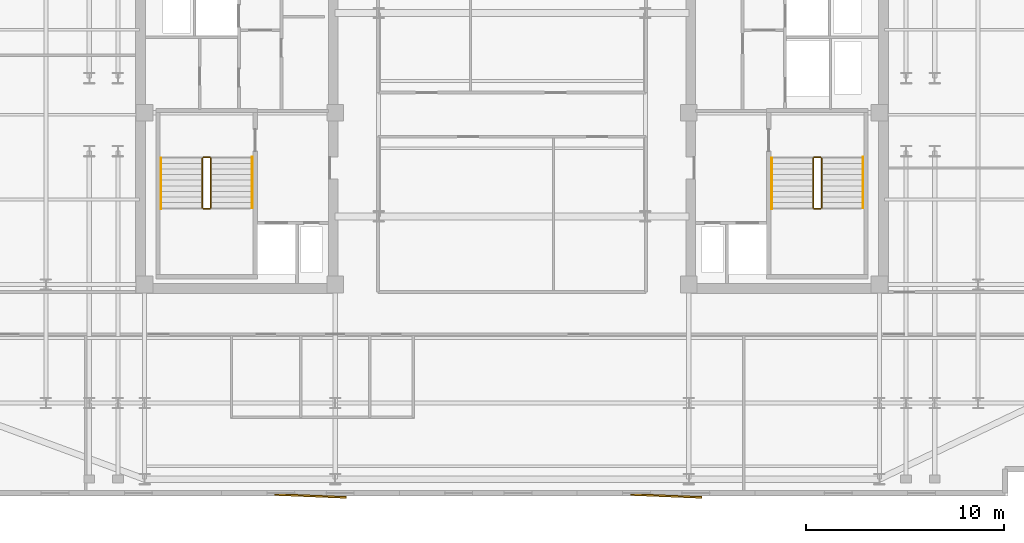
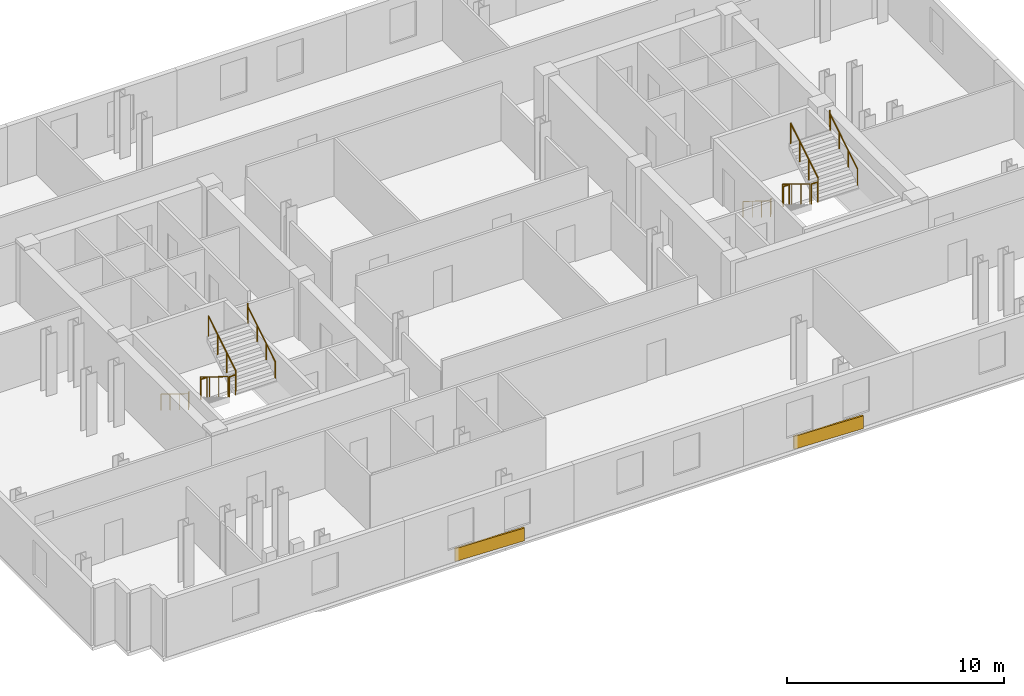
# One storey, part 8 of 9: 12 railings, 2 coverings.
"""IFC4 building model written with IfcOpenShell, lengths in metres."""

import ifcopenshell
import ifcopenshell.guid

model = None  # the IFC model being written
_history = None  # IfcOwnerHistory: only IFC2X3 demands one
_inside = {}  # id of a spatial element -> (the spatial element, [elements in it])
_under = {}  # id of a project, library or spatial element -> (it, [spatial elements below it])
_declared = {}  # id of a project -> (the project, [libraries it declares])
_typed = {}  # id of a type object -> (the type object, [elements of that type])
_made_of = {}  # id of a material, layer set ... -> (it, [elements and type objects made of it])


def new_model(schema):
    """Start an empty IFC model of exactly this schema.

    Asked for "IFC4X3", IfcOpenShell would pick the latest addendum, in which some entities
    have other attributes; the version numbers below select the first issue.
    IFC2X3 requires an IfcOwnerHistory on every rooted entity: one is made here for all.
    """
    global model, _history
    if schema == "IFC4X3":
        model = ifcopenshell.file(schema_version=(4, 3, 0, 0))
    else:
        model = ifcopenshell.file(schema=schema)
    _inside.clear()
    _under.clear()
    _declared.clear()
    _typed.clear()
    _made_of.clear()
    _history = None
    if model.schema == "IFC2X3":
        org = make("IfcOrganization", Name="unknown")
        user = make(
            "IfcPersonAndOrganization",
            ThePerson=make("IfcPerson", FamilyName="unknown"),
            TheOrganization=org,
        )
        app = make(
            "IfcApplication",
            ApplicationDeveloper=org,
            Version="unknown",
            ApplicationFullName="unknown",
            ApplicationIdentifier="unknown",
        )
        _history = make(
            "IfcOwnerHistory",
            OwningUser=user,
            OwningApplication=app,
            ChangeAction="ADDED",
            CreationDate=0,
        )
    return model


def make(cls, **values):
    """One entity of the class cls with the attributes given. An attribute that is None is left unset."""
    return model.create_entity(
        cls, **{name: value for name, value in values.items() if value is not None}
    )


def rooted(cls, **values):
    """An entity with a GlobalId (a new one), such as an element, a storey or a relation."""
    return make(cls, GlobalId=ifcopenshell.guid.new(), OwnerHistory=_history, **values)


def si_unit(unit_type, name, prefix=None):
    """IfcSIUnit, for example si_unit("LENGTHUNIT", "METRE", prefix="MILLI")."""
    return make("IfcSIUnit", UnitType=unit_type, Prefix=prefix, Name=name)


def assignment(units):
    """IfcUnitAssignment: the units of a project."""
    return None if units is None else make("IfcUnitAssignment", Units=units)


def point(xyz):
    """IfcCartesianPoint."""
    return None if xyz is None else make("IfcCartesianPoint", Coordinates=xyz)


def direction(xyz):
    """IfcDirection."""
    return None if xyz is None else make("IfcDirection", DirectionRatios=xyz)


def frame(location, z_axis=None, x_axis=None):
    """IfcAxis2Placement3D, a coordinate frame: its origin and axes. An axis left out is left unset."""
    return make(
        "IfcAxis2Placement3D",
        Location=point(location),
        Axis=direction(z_axis),
        RefDirection=direction(x_axis),
    )


def frame_2d(location, x_axis=None):
    """IfcAxis2Placement2D, a coordinate frame in the plane: its origin and x axis."""
    return make(
        "IfcAxis2Placement2D", Location=point(location), RefDirection=direction(x_axis)
    )


def origin():
    """The frame at (0, 0, 0) with its axes left unset."""
    return frame((0.0, 0.0, 0.0))


def origin_2d():
    """The frame at (0, 0) in the plane with its x axis left unset."""
    return frame_2d((0.0, 0.0))


def place(relative_to, where):
    """IfcLocalPlacement: puts the frame where relative to a parent placement (None: the world)."""
    return make(
        "IfcLocalPlacement", PlacementRelTo=relative_to, RelativePlacement=where
    )


def context(
    kind, dimensions, precision=None, world=None, true_north=None, identifier=None
):
    """IfcGeometricRepresentationContext, for example the 3D "Model" context."""
    return make(
        "IfcGeometricRepresentationContext",
        ContextIdentifier=identifier,
        ContextType=kind,
        CoordinateSpaceDimension=dimensions,
        Precision=precision,
        WorldCoordinateSystem=world,
        TrueNorth=true_north,
    )


def subcontext(parent, identifier, kind, view, scale=None):
    """IfcGeometricRepresentationSubContext, for example "Body" below "Model"."""
    return make(
        "IfcGeometricRepresentationSubContext",
        ContextIdentifier=identifier,
        ContextType=kind,
        ParentContext=parent,
        TargetScale=scale,
        TargetView=view,
    )


def project(units=None, contexts=None):
    """IfcProject with its units and contexts."""
    return rooted(
        "IfcProject",
        Name="project",
        RepresentationContexts=contexts,
        UnitsInContext=assignment(units),
    )


def spatial(cls, under=None, at=None, **own):
    """A site, building, storey or space (cls), placed at a placement, below another one or the project."""
    s = rooted(cls, ObjectPlacement=at, **own)
    if under is not None:
        _under.setdefault(under.id(), (under, []))[1].append(s)
    return s


def profile(cls, at=None, kind="AREA", **sizes):
    """A parametric profile (cls). Its sizes go by their IFC names, for example OverallWidth=200.0."""
    return make(cls, ProfileType=kind, Position=at, **sizes)


def rectangle(**sizes):
    """IfcRectangleProfileDef."""
    return profile("IfcRectangleProfileDef", **sizes)


def circle(**sizes):
    """IfcCircleProfileDef."""
    return profile("IfcCircleProfileDef", **sizes)


def extrude(swept, where, along, depth):
    """IfcExtrudedAreaSolid: the profile swept, set in the frame where, extruded along a direction by depth."""
    return make(
        "IfcExtrudedAreaSolid",
        SweptArea=swept,
        Position=where,
        ExtrudedDirection=direction(along),
        Depth=depth,
    )


def shape(context_of_items, identifier, shape_type, items):
    """IfcShapeRepresentation: the items that make up one representation, for example the "Body"."""
    return make(
        "IfcShapeRepresentation",
        ContextOfItems=context_of_items,
        RepresentationIdentifier=identifier,
        RepresentationType=shape_type,
        Items=items,
    )


def material(Name=None, Category=None):
    """IfcMaterial."""
    return make("IfcMaterial", Name=Name, Category=Category)


def layer(
    of_material, thickness, ventilated=None, Name=None, Category=None, Priority=None
):
    """IfcMaterialLayer: one layer of a wall or slab, of a material (None: an air gap)."""
    return make(
        "IfcMaterialLayer",
        Material=of_material,
        LayerThickness=thickness,
        IsVentilated=ventilated,
        Name=Name,
        Category=Category,
        Priority=Priority,
    )


def layer_set(layers, Name=None):
    """IfcMaterialLayerSet."""
    return make("IfcMaterialLayerSet", MaterialLayers=layers, LayerSetName=Name)


def made_of(thing, what):
    """Note that an element or type object is made of a material, layer set ...; save() writes the relation."""
    if what is not None:
        _made_of.setdefault(what.id(), (what, []))[1].append(thing)
    return thing


def type_object(cls, material=None, **own):
    """A type object (cls), such as IfcWallType, which elements share."""
    return made_of(rooted(cls, **own), material)


def element(
    cls,
    number,
    at=None,
    inside=None,
    cuts=None,
    type_object=None,
    material=None,
    context=None,
    identifier="Body",
    shape_type=None,
    held_by="IfcProductDefinitionShape",
    body=None,
    shapes=None,
    **own,
):
    """One element of the class cls, such as IfcWall. Its Tag is "e" and its number.

    at: its placement. inside: the storey or other place that contains it. cuts: it is an
    opening in that element (IfcRelVoidsElement). A single representation is given by context,
    identifier, shape_type and body (its items); several are given by shapes. held_by: the class
    of the entity that holds the representations. save() writes the other relations.
    """
    e = rooted(cls, Tag="e%d" % number, ObjectPlacement=at, **own)
    if body is not None:
        shapes = [shape(context, identifier, shape_type, body)]
    if shapes is not None:
        e.Representation = make(held_by, Representations=shapes)
    if inside is not None:
        _inside.setdefault(inside.id(), (inside, []))[1].append(e)
    if cuts is not None:
        rooted(
            "IfcRelVoidsElement", RelatingBuildingElement=cuts, RelatedOpeningElement=e
        )
    if type_object is not None:
        _typed.setdefault(type_object.id(), (type_object, []))[1].append(e)
    return made_of(e, material)


def aggregate(whole, parts):
    """IfcRelAggregates: a whole, such as a stair, and the parts it consists of."""
    return rooted("IfcRelAggregates", RelatingObject=whole, RelatedObjects=parts)


def save(model, path):
    """Write the relations noted so far, then the file.

    IfcRelAggregates (storeys below a building ...), IfcRelContainedInSpatialStructure (elements
    in a storey), IfcRelDefinesByType, IfcRelAssociatesMaterial and IfcRelDeclares: one each for
    every whole, place, type object, material and project.
    """
    for whole, parts in _under.values():
        aggregate(whole, parts)
    for where, things in _inside.values():
        rooted(
            "IfcRelContainedInSpatialStructure",
            RelatedElements=things,
            RelatingStructure=where,
        )
    for kind, things in _typed.values():
        rooted("IfcRelDefinesByType", RelatedObjects=things, RelatingType=kind)
    for what, things in _made_of.values():
        rooted("IfcRelAssociatesMaterial", RelatedObjects=things, RelatingMaterial=what)
    for by, libraries in _declared.values():
        rooted("IfcRelDeclares", RelatingContext=by, RelatedDefinitions=libraries)
    model.write(path)


model = new_model("IFC4")

# Units and contexts
model_context = context("Model", 3, precision=1e-05, world=origin(), true_north=direction((0.0, 1.0)))
body_context = subcontext(model_context, "Body", "Model", "MODEL_VIEW")
ifc_project = project(units=[si_unit("LENGTHUNIT", "METRE"), si_unit("AREAUNIT", "SQUARE_METRE"), si_unit("VOLUMEUNIT", "CUBIC_METRE"), si_unit("PLANEANGLEUNIT", "RADIAN"), si_unit("MASSUNIT", "GRAM", prefix="KILO")], contexts=[model_context])

# Site, building, storey
site_placement = place(None, origin())
site = spatial("IfcSite", under=ifc_project, at=site_placement, CompositionType="ELEMENT")
building_placement = place(site_placement, origin())
building = spatial("IfcBuilding", under=site, at=building_placement, Name="Velakula Bourse", CompositionType="ELEMENT")
storey_placement = place(building_placement, frame((0.0, 0.0, 215.39990234375)))
storey = spatial("IfcBuildingStorey", under=building, at=storey_placement, Name="L58", CompositionType="ELEMENT", Elevation=215.39990234375)

# Coverings
ifc_material_1 = material(Name="Red kilned clay facing brick masonry", Category="masonry")
ifc_layer = layer(ifc_material_1, 0.090087890625, Name="Red kilned clay facing brick masonry", Category="masonry")
ifc_layer_set = layer_set([ifc_layer], Name="Red kilned clay facing brick masonry")
covering_type = type_object("IfcCoveringType", Name="COV-BRK-FOLD-90", PredefinedType="CLADDING", material=ifc_layer_set)
for number, where, z_axis, x_axis, name in (
    (1, (-10.199951171875, -19.300048828125, 0.0), (0.0, 0.0, 1.0), (0.999158993058, -0.041003738744, 0.0), "L58 Folded Brick Facade Cladding Panel S-B2"),
    (2, (7.800048828125, -19.300048828125, 0.0), (0.0, 0.0, 1.0), (0.999158993058, -0.041003738744, 0.0), "L58 Folded Brick Facade Cladding Panel S-B4"),
):
    element("IfcCovering", number, at=place(storey_placement, frame(where, z_axis=z_axis, x_axis=x_axis)), inside=storey, type_object=covering_type, Name=name, PredefinedType="CLADDING", context=body_context, shape_type="SweptSolid", body=[
        extrude(rectangle(XDim=3.60009765625, YDim=0.090087890625, at=origin_2d()), origin(), (0.0, 0.0, 1.0), 0.719970703125),
    ])

# Railings
ifc_material_2 = material(Name="Brushed grade 316 stainless steel", Category="steel")
railing_type_1 = type_object("IfcRailingType", Name="RLG-STAIR-GUARD-1150", PredefinedType="BALUSTRADE", material=ifc_material_2)
railing_1_placement = place(storey_placement, frame((-15.672119140625, -2.199951171875, 0.172607421875)))
element("IfcRailing", 3, at=railing_1_placement, inside=storey, type_object=railing_type_1, Name="L58 ST-W1 stair guard 1", PredefinedType="BALUSTRADE", context=body_context, shape_type="SweptSolid", body=[
    extrude(circle(Radius=0.02490234375, at=origin_2d()), frame((0.0, 0.0, 1.125), z_axis=(0.0, -0.851400495292, 0.524516154772), x_axis=(1.0, 0.0, 0.0)), (0.0, 0.0, 1.0), 2.9599609375),
    extrude(circle(Radius=0.02099609375, at=origin_2d()), origin(), (0.0, 0.0, 1.0), 1.099853515625),
    extrude(circle(Radius=0.02099609375, at=origin_2d()), frame((0.0, -0.840087890625, 0.517578125)), (0.0, 0.0, 1.0), 1.099853515625),
    extrude(circle(Radius=0.02099609375, at=origin_2d()), frame((0.0, -1.679931640625, 1.034912109375)), (0.0, 0.0, 1.0), 1.099853515625),
    extrude(circle(Radius=0.02099609375, at=origin_2d()), frame((0.0, -2.52001953125, 1.552490234375)), (0.0, 0.0, 1.0), 1.099853515625),
])
railing_2_placement = place(storey_placement, frame((-15.6220703125, -4.77001953125, 1.72509765625)))
element("IfcRailing", 4, at=railing_2_placement, inside=storey, type_object=railing_type_1, Name="L58 ST-W1 stair guard 2", PredefinedType="BALUSTRADE", context=body_context, shape_type="SweptSolid", body=[
    extrude(circle(Radius=0.02490234375, at=origin_2d()), frame((0.0, 0.0, 1.125), z_axis=(1.0, 0.0, 0.0), x_axis=(0.0, 1.0, 0.0)), (0.0, 0.0, 1.0), 0.323974609375),
    extrude(circle(Radius=0.02099609375, at=origin_2d()), origin(), (0.0, 0.0, 1.0), 1.099853515625),
    extrude(circle(Radius=0.02099609375, at=origin_2d()), frame((0.323974609375, 0.0, 0.0)), (0.0, 0.0, 1.0), 1.099853515625),
])
railing_3_placement = place(storey_placement, frame((-15.248046875, -4.719970703125, 1.897705078125)))
element("IfcRailing", 5, at=railing_3_placement, inside=storey, type_object=railing_type_1, Name="L58 ST-W1 stair guard 3", PredefinedType="BALUSTRADE", context=body_context, shape_type="SweptSolid", body=[
    extrude(circle(Radius=0.02490234375, at=origin_2d()), frame((0.0, 0.0, 1.125), z_axis=(0.0, 0.851400495292, 0.524516154772), x_axis=(-1.0, 0.0, 0.0)), (0.0, 0.0, 1.0), 2.9599609375),
    extrude(circle(Radius=0.02099609375, at=origin_2d()), origin(), (0.0, 0.0, 1.0), 1.099853515625),
    extrude(circle(Radius=0.02099609375, at=origin_2d()), frame((0.0, 0.840087890625, 0.517578125)), (0.0, 0.0, 1.0), 1.099853515625),
    extrude(circle(Radius=0.02099609375, at=origin_2d()), frame((0.0, 1.679931640625, 1.034912109375)), (0.0, 0.0, 1.0), 1.099853515625),
    extrude(circle(Radius=0.02099609375, at=origin_2d()), frame((0.0, 2.52001953125, 1.552490234375)), (0.0, 0.0, 1.0), 1.099853515625),
])
railing_4_placement = place(storey_placement, frame((-15.6220703125, -2.14990234375, 0.0)))
element("IfcRailing", 6, at=railing_4_placement, inside=storey, type_object=railing_type_1, Name="L58 ST-W1 stair guard 4", PredefinedType="BALUSTRADE", context=body_context, shape_type="SweptSolid", body=[
    extrude(circle(Radius=0.02490234375, at=origin_2d()), frame((0.0, 0.0, 1.125), z_axis=(1.0, 0.0, 0.0), x_axis=(0.0, 1.0, 0.0)), (0.0, 0.0, 1.0), 0.323974609375),
    extrude(circle(Radius=0.02099609375, at=origin_2d()), origin(), (0.0, 0.0, 1.0), 1.099853515625),
    extrude(circle(Radius=0.02099609375, at=origin_2d()), frame((0.323974609375, 0.0, 0.0)), (0.0, 0.0, 1.0), 1.099853515625),
])
railing_5_placement = place(storey_placement, frame((15.248046875, -2.199951171875, 0.172607421875)))
element("IfcRailing", 7, at=railing_5_placement, inside=storey, type_object=railing_type_1, Name="L58 ST-E1 stair guard 1", PredefinedType="BALUSTRADE", context=body_context, shape_type="SweptSolid", body=[
    extrude(circle(Radius=0.02490234375, at=origin_2d()), frame((0.0, 0.0, 1.125), z_axis=(0.0, -0.851400495292, 0.524516154772), x_axis=(1.0, 0.0, 0.0)), (0.0, 0.0, 1.0), 2.9599609375),
    extrude(circle(Radius=0.02099609375, at=origin_2d()), origin(), (0.0, 0.0, 1.0), 1.099853515625),
    extrude(circle(Radius=0.02099609375, at=origin_2d()), frame((0.0, -0.840087890625, 0.517578125)), (0.0, 0.0, 1.0), 1.099853515625),
    extrude(circle(Radius=0.02099609375, at=origin_2d()), frame((0.0, -1.679931640625, 1.034912109375)), (0.0, 0.0, 1.0), 1.099853515625),
    extrude(circle(Radius=0.02099609375, at=origin_2d()), frame((0.0, -2.52001953125, 1.552490234375)), (0.0, 0.0, 1.0), 1.099853515625),
])
railing_6_placement = place(storey_placement, frame((15.298095703125, -4.77001953125, 1.72509765625)))
element("IfcRailing", 8, at=railing_6_placement, inside=storey, type_object=railing_type_1, Name="L58 ST-E1 stair guard 2", PredefinedType="BALUSTRADE", context=body_context, shape_type="SweptSolid", body=[
    extrude(circle(Radius=0.02490234375, at=origin_2d()), frame((0.0, 0.0, 1.125), z_axis=(1.0, 0.0, 0.0), x_axis=(0.0, 1.0, 0.0)), (0.0, 0.0, 1.0), 0.323974609375),
    extrude(circle(Radius=0.02099609375, at=origin_2d()), origin(), (0.0, 0.0, 1.0), 1.099853515625),
    extrude(circle(Radius=0.02099609375, at=origin_2d()), frame((0.323974609375, 0.0, 0.0)), (0.0, 0.0, 1.0), 1.099853515625),
])
railing_7_placement = place(storey_placement, frame((15.672119140625, -4.719970703125, 1.897705078125)))
element("IfcRailing", 9, at=railing_7_placement, inside=storey, type_object=railing_type_1, Name="L58 ST-E1 stair guard 3", PredefinedType="BALUSTRADE", context=body_context, shape_type="SweptSolid", body=[
    extrude(circle(Radius=0.02490234375, at=origin_2d()), frame((0.0, 0.0, 1.125), z_axis=(0.0, 0.851400495292, 0.524516154772), x_axis=(-1.0, 0.0, 0.0)), (0.0, 0.0, 1.0), 2.9599609375),
    extrude(circle(Radius=0.02099609375, at=origin_2d()), origin(), (0.0, 0.0, 1.0), 1.099853515625),
    extrude(circle(Radius=0.02099609375, at=origin_2d()), frame((0.0, 0.840087890625, 0.517578125)), (0.0, 0.0, 1.0), 1.099853515625),
    extrude(circle(Radius=0.02099609375, at=origin_2d()), frame((0.0, 1.679931640625, 1.034912109375)), (0.0, 0.0, 1.0), 1.099853515625),
    extrude(circle(Radius=0.02099609375, at=origin_2d()), frame((0.0, 2.52001953125, 1.552490234375)), (0.0, 0.0, 1.0), 1.099853515625),
])
railing_8_placement = place(storey_placement, frame((15.298095703125, -2.14990234375, 0.0)))
element("IfcRailing", 10, at=railing_8_placement, inside=storey, type_object=railing_type_1, Name="L58 ST-E1 stair guard 4", PredefinedType="BALUSTRADE", context=body_context, shape_type="SweptSolid", body=[
    extrude(circle(Radius=0.02490234375, at=origin_2d()), frame((0.0, 0.0, 1.125), z_axis=(1.0, 0.0, 0.0), x_axis=(0.0, 1.0, 0.0)), (0.0, 0.0, 1.0), 0.323974609375),
    extrude(circle(Radius=0.02099609375, at=origin_2d()), origin(), (0.0, 0.0, 1.0), 1.099853515625),
    extrude(circle(Radius=0.02099609375, at=origin_2d()), frame((0.323974609375, 0.0, 0.0)), (0.0, 0.0, 1.0), 1.099853515625),
])
railing_type_2 = type_object("IfcRailingType", Name="RLG-STAIR-HAND-920", PredefinedType="HANDRAIL", material=ifc_material_2)
railing_9_placement = place(storey_placement, frame((-17.77001953125, -2.199951171875, 0.172607421875)))
element("IfcRailing", 11, at=railing_9_placement, inside=storey, type_object=railing_type_2, Name="L58 ST-W1 stair handrail 1", PredefinedType="HANDRAIL", context=body_context, shape_type="SweptSolid", body=[
    extrude(circle(Radius=0.02099609375, at=origin_2d()), frame((0.0, 0.0, 0.89892578125), z_axis=(0.0, -0.851400495292, 0.524516154772), x_axis=(1.0, 0.0, 0.0)), (0.0, 0.0, 1.0), 2.9599609375),
    extrude(circle(Radius=0.02099609375, at=origin_2d()), frame((0.0, -2.52001953125, 2.451416015625), z_axis=(0.0, -0.22596628056, 0.974135124123), x_axis=(1.0, 0.0, 0.0)), (0.0, 0.0, 1.0), 0.17724609375),
    extrude(circle(Radius=0.02099609375, at=origin_2d()), frame((0.0, -2.56005859375, 2.6240234375), z_axis=(0.0, -1.0, 0.0), x_axis=(1.0, 0.0, 0.0)), (0.0, 0.0, 1.0), 0.0048828125),
    extrude(circle(Radius=0.02099609375, at=origin_2d()), origin(), (0.0, 0.0, 1.0), 0.8779296875),
    extrude(circle(Radius=0.02099609375, at=origin_2d()), frame((0.0, -0.840087890625, 0.517578125)), (0.0, 0.0, 1.0), 0.8779296875),
    extrude(circle(Radius=0.02099609375, at=origin_2d()), frame((0.0, -1.679931640625, 1.034912109375)), (0.0, 0.0, 1.0), 0.8779296875),
    extrude(circle(Radius=0.02099609375, at=origin_2d()), frame((0.0, -2.52001953125, 1.552490234375)), (0.0, 0.0, 1.0), 0.8779296875),
    extrude(circle(Radius=0.02099609375, at=origin_2d()), frame((0.0, -2.56005859375, 1.72509765625)), (0.0, 0.0, 1.0), 0.8779296875),
    extrude(circle(Radius=0.02099609375, at=origin_2d()), frame((0.0, -2.56494140625, 1.72509765625)), (0.0, 0.0, 1.0), 0.8779296875),
])
railing_10_placement = place(storey_placement, frame((-13.14990234375, -4.719970703125, 1.897705078125)))
element("IfcRailing", 12, at=railing_10_placement, inside=storey, type_object=railing_type_2, Name="L58 ST-W1 stair handrail 2", PredefinedType="HANDRAIL", context=body_context, shape_type="SweptSolid", body=[
    extrude(circle(Radius=0.02099609375, at=origin_2d()), frame((0.0, 0.0, 0.89892578125), z_axis=(0.0, 0.851400495292, 0.524516154772), x_axis=(-1.0, 0.0, 0.0)), (0.0, 0.0, 1.0), 2.9599609375),
    extrude(circle(Radius=0.02099609375, at=origin_2d()), frame((0.0, 2.52001953125, 2.451416015625), z_axis=(0.0, 0.226269970362, 0.974064628509), x_axis=(-1.0, 0.0, 0.0)), (0.0, 0.0, 1.0), 0.177001953125),
    extrude(circle(Radius=0.02099609375, at=origin_2d()), frame((0.0, 2.56005859375, 2.623779296875), z_axis=(0.0, 1.0, 0.0), x_axis=(-1.0, 0.0, 0.0)), (0.0, 0.0, 1.0), 0.0048828125),
    extrude(circle(Radius=0.02099609375, at=origin_2d()), origin(), (0.0, 0.0, 1.0), 0.8779296875),
    extrude(circle(Radius=0.02099609375, at=origin_2d()), frame((0.0, 0.840087890625, 0.517578125)), (0.0, 0.0, 1.0), 0.8779296875),
    extrude(circle(Radius=0.02099609375, at=origin_2d()), frame((0.0, 1.679931640625, 1.034912109375)), (0.0, 0.0, 1.0), 0.8779296875),
    extrude(circle(Radius=0.02099609375, at=origin_2d()), frame((0.0, 2.52001953125, 1.552490234375)), (0.0, 0.0, 1.0), 0.8779296875),
    extrude(circle(Radius=0.02099609375, at=origin_2d()), frame((0.0, 2.56005859375, 1.724853515625)), (0.0, 0.0, 1.0), 0.8779296875),
    extrude(circle(Radius=0.02099609375, at=origin_2d()), frame((0.0, 2.56494140625, 1.724853515625)), (0.0, 0.0, 1.0), 0.8779296875),
])
railing_11_placement = place(storey_placement, frame((13.14990234375, -2.199951171875, 0.172607421875)))
element("IfcRailing", 13, at=railing_11_placement, inside=storey, type_object=railing_type_2, Name="L58 ST-E1 stair handrail 1", PredefinedType="HANDRAIL", context=body_context, shape_type="SweptSolid", body=[
    extrude(circle(Radius=0.02099609375, at=origin_2d()), frame((0.0, 0.0, 0.89892578125), z_axis=(0.0, -0.851400495292, 0.524516154772), x_axis=(1.0, 0.0, 0.0)), (0.0, 0.0, 1.0), 2.9599609375),
    extrude(circle(Radius=0.02099609375, at=origin_2d()), frame((0.0, -2.52001953125, 2.451416015625), z_axis=(0.0, -0.22596628056, 0.974135124123), x_axis=(1.0, 0.0, 0.0)), (0.0, 0.0, 1.0), 0.17724609375),
    extrude(circle(Radius=0.02099609375, at=origin_2d()), frame((0.0, -2.56005859375, 2.6240234375), z_axis=(0.0, -1.0, 0.0), x_axis=(1.0, 0.0, 0.0)), (0.0, 0.0, 1.0), 0.0048828125),
    extrude(circle(Radius=0.02099609375, at=origin_2d()), origin(), (0.0, 0.0, 1.0), 0.8779296875),
    extrude(circle(Radius=0.02099609375, at=origin_2d()), frame((0.0, -0.840087890625, 0.517578125)), (0.0, 0.0, 1.0), 0.8779296875),
    extrude(circle(Radius=0.02099609375, at=origin_2d()), frame((0.0, -1.679931640625, 1.034912109375)), (0.0, 0.0, 1.0), 0.8779296875),
    extrude(circle(Radius=0.02099609375, at=origin_2d()), frame((0.0, -2.52001953125, 1.552490234375)), (0.0, 0.0, 1.0), 0.8779296875),
    extrude(circle(Radius=0.02099609375, at=origin_2d()), frame((0.0, -2.56005859375, 1.72509765625)), (0.0, 0.0, 1.0), 0.8779296875),
    extrude(circle(Radius=0.02099609375, at=origin_2d()), frame((0.0, -2.56494140625, 1.72509765625)), (0.0, 0.0, 1.0), 0.8779296875),
])
railing_12_placement = place(storey_placement, frame((17.77001953125, -4.719970703125, 1.897705078125)))
element("IfcRailing", 14, at=railing_12_placement, inside=storey, type_object=railing_type_2, Name="L58 ST-E1 stair handrail 2", PredefinedType="HANDRAIL", context=body_context, shape_type="SweptSolid", body=[
    extrude(circle(Radius=0.02099609375, at=origin_2d()), frame((0.0, 0.0, 0.89892578125), z_axis=(0.0, 0.851400495292, 0.524516154772), x_axis=(-1.0, 0.0, 0.0)), (0.0, 0.0, 1.0), 2.9599609375),
    extrude(circle(Radius=0.02099609375, at=origin_2d()), frame((0.0, 2.52001953125, 2.451416015625), z_axis=(0.0, 0.226269970362, 0.974064628509), x_axis=(-1.0, 0.0, 0.0)), (0.0, 0.0, 1.0), 0.177001953125),
    extrude(circle(Radius=0.02099609375, at=origin_2d()), frame((0.0, 2.56005859375, 2.623779296875), z_axis=(0.0, 1.0, 0.0), x_axis=(-1.0, 0.0, 0.0)), (0.0, 0.0, 1.0), 0.0048828125),
    extrude(circle(Radius=0.02099609375, at=origin_2d()), origin(), (0.0, 0.0, 1.0), 0.8779296875),
    extrude(circle(Radius=0.02099609375, at=origin_2d()), frame((0.0, 0.840087890625, 0.517578125)), (0.0, 0.0, 1.0), 0.8779296875),
    extrude(circle(Radius=0.02099609375, at=origin_2d()), frame((0.0, 1.679931640625, 1.034912109375)), (0.0, 0.0, 1.0), 0.8779296875),
    extrude(circle(Radius=0.02099609375, at=origin_2d()), frame((0.0, 2.52001953125, 1.552490234375)), (0.0, 0.0, 1.0), 0.8779296875),
    extrude(circle(Radius=0.02099609375, at=origin_2d()), frame((0.0, 2.56005859375, 1.724853515625)), (0.0, 0.0, 1.0), 0.8779296875),
    extrude(circle(Radius=0.02099609375, at=origin_2d()), frame((0.0, 2.56494140625, 1.724853515625)), (0.0, 0.0, 1.0), 0.8779296875),
])

save(model, "model.ifc")
